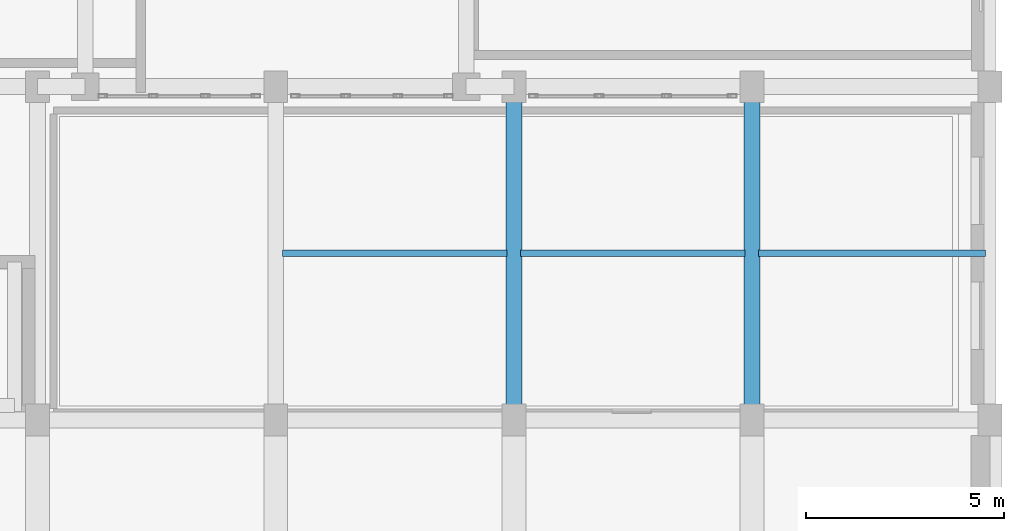
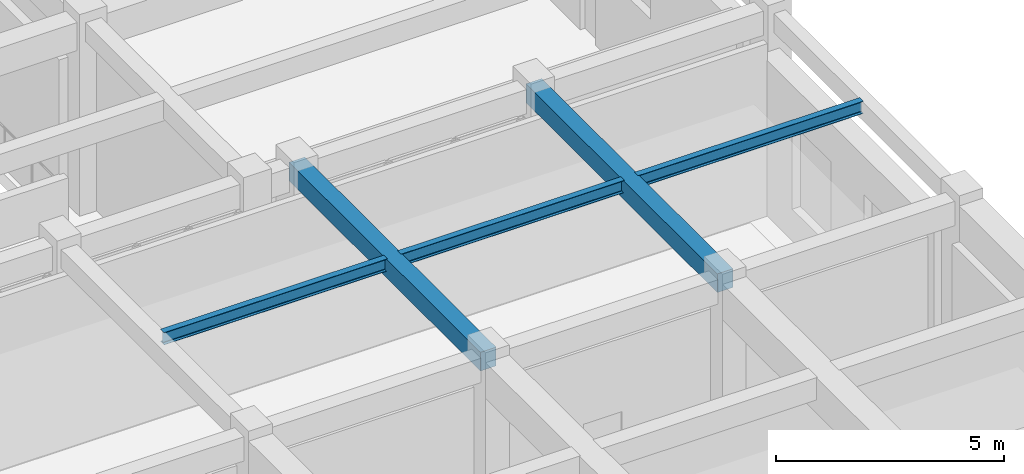
# One storey, part 55 of 98: 5 beams.
"""IFC4 building model written with IfcOpenShell, lengths in metres."""

from ifc_helpers import new_model, si_unit, direction, frame, origin, origin_2d, place, context, subcontext, project, spatial, rectangle, i_section, extrude, material, material_profile, profile_set, type_object, element, save


model = new_model("IFC4")

# Units and contexts
model_context = context("Model", 3, precision=1e-05, world=origin(), true_north=direction((0.0, 1.0)))
body_context = subcontext(model_context, "Body", "Model", "MODEL_VIEW")
ifc_project = project(units=[si_unit("LENGTHUNIT", "METRE"), si_unit("AREAUNIT", "SQUARE_METRE"), si_unit("VOLUMEUNIT", "CUBIC_METRE"), si_unit("PLANEANGLEUNIT", "RADIAN"), si_unit("MASSUNIT", "GRAM", prefix="KILO")], contexts=[model_context])

# Site, building, storey
site_placement = place(None, origin())
site = spatial("IfcSite", under=ifc_project, at=site_placement, CompositionType="ELEMENT")
building_placement = place(site_placement, origin())
building = spatial("IfcBuilding", under=site, at=building_placement, Name="Tarnavel Promenade Courthouse", CompositionType="ELEMENT")
storey_placement = place(building_placement, origin())
storey = spatial("IfcBuildingStorey", under=building, at=storey_placement, Name="L01", CompositionType="ELEMENT", Elevation=0.0)

# Beams
ifc_material_1 = material(Name="Concrete C40/50", Category="concrete")
ifc_material_profile_1 = material_profile(ifc_material_1, rectangle(XDim=0.39990234375, YDim=0.5, at=origin_2d()), Name="RC 400x500")
ifc_profile_set_1 = profile_set([ifc_material_profile_1], Name="Concrete C40/50")
beam_type_1 = type_object("IfcBeamType", Name="Concrete C40/50 BM-RC-400x500 (RC 400x500)", PredefinedType="BEAM", material=ifc_profile_set_1)
for number, where, z_axis, x_axis, name in (
    (1, (150.0, 58.800048828125, 4.885009765625), (0.0, 1.0, 0.0), (-1.0, 0.0, 0.0), "L01 Transverse Girder 0875"),
    (2, (156.0, 58.800048828125, 4.885009765625), (0.0, 1.0, 0.0), (-1.0, 0.0, 0.0), "L01 Transverse Girder 0878"),
):
    element("IfcBeam", number, at=place(storey_placement, frame(where, z_axis=z_axis, x_axis=x_axis)), inside=storey, type_object=beam_type_1, Name=name, PredefinedType="BEAM", context=body_context, shape_type="SweptSolid", body=[
        extrude(rectangle(XDim=0.39990234375, YDim=0.5, at=origin_2d()), origin(), (0.0, 0.0, 1.0), 8.39990234375),
    ])
ifc_material_2 = material(Name="Steel S355J2", Category="steel")
ifc_material_profile_2 = material_profile(ifc_material_2, i_section(OverallWidth=0.159912109375, OverallDepth=0.330078125, WebThickness=0.007568359375, FlangeThickness=0.011474609375, FilletRadius=0.01806640625, at=origin_2d()), Name="IPE 330")
ifc_profile_set_2 = profile_set([ifc_material_profile_2], Name="Steel S355J2")
beam_type_2 = type_object("IfcBeamType", Name="Steel S355J2 BM-ST-IPE330 (IPE 330)", PredefinedType="JOIST", material=ifc_profile_set_2)
for number, where, z_axis, x_axis, name in (
    (3, (144.169921875, 63.0, 4.969970703125), (1.0, 0.0, 0.0), (0.0, 1.0, 0.0), "L01 Secondary Floor Rib 1047"),
    (4, (150.169921875, 63.0, 4.969970703125), (1.0, 0.0, 0.0), (0.0, 1.0, 0.0), "L01 Secondary Floor Rib 1048"),
):
    element("IfcBeam", number, at=place(storey_placement, frame(where, z_axis=z_axis, x_axis=x_axis)), inside=storey, type_object=beam_type_2, Name=name, PredefinedType="JOIST", context=body_context, shape_type="SweptSolid", body=[
        extrude(i_section(OverallWidth=0.159912109375, OverallDepth=0.330078125, WebThickness=0.007568359375, FlangeThickness=0.011474609375, FilletRadius=0.01806640625, at=origin_2d()), origin(), (0.0, 0.0, 1.0), 5.66015625),
    ])
beam_placement = place(storey_placement, frame((156.169921875, 63.0, 4.969970703125), z_axis=(1.0, 0.0, 0.0), x_axis=(0.0, 1.0, 0.0)))
element("IfcBeam", 5, at=beam_placement, inside=storey, type_object=beam_type_2, Name="L01 Secondary Floor Rib 1049", PredefinedType="JOIST", context=body_context, shape_type="SweptSolid", body=[
    extrude(i_section(OverallWidth=0.159912109375, OverallDepth=0.330078125, WebThickness=0.007568359375, FlangeThickness=0.011474609375, FilletRadius=0.01806640625, at=origin_2d()), origin(), (0.0, 0.0, 1.0), 5.7099609375),
])

save(model, "model.ifc")
